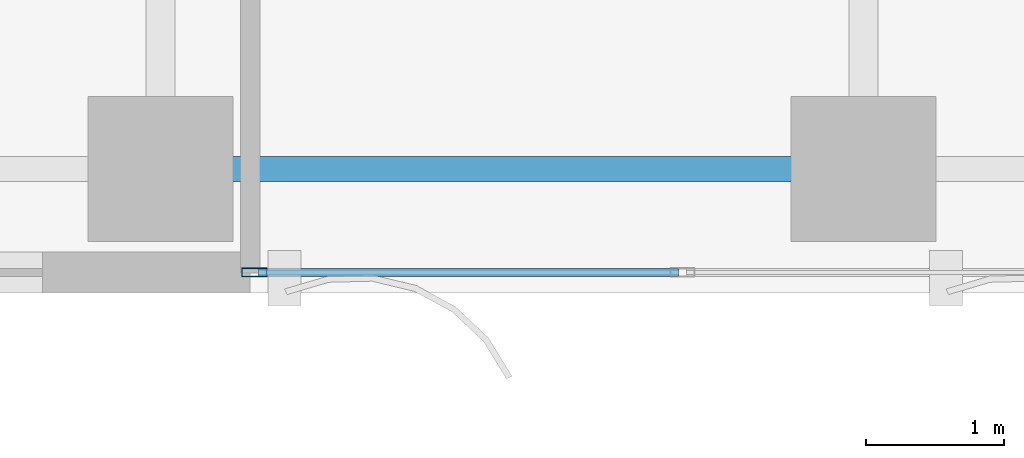
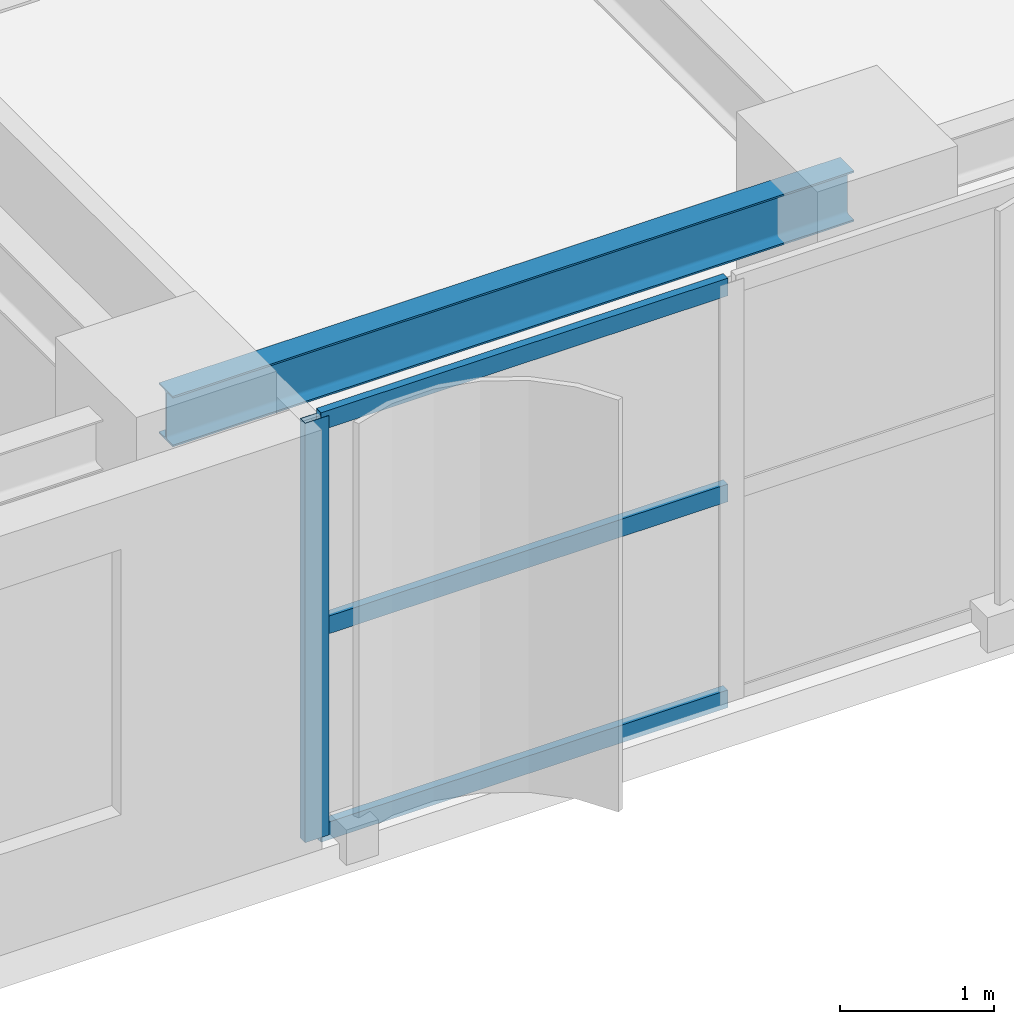
# One storey, part 2 of 22: 4 members, 1 beam, 1 element without a shape of its own.
"""IFC4 building model written with IfcOpenShell, lengths in metres."""

from ifc_helpers import new_model, si_unit, direction, frame, origin, origin_2d, place, context, subcontext, project, spatial, hollow_rectangle, i_section, extrude, source, transform, mapped, material, layer, layer_set, material_profile, profile_set, type_object, element, aggregate, save


model = new_model("IFC4")

# Units and contexts
model_context = context("Model", 3, precision=1e-05, world=origin(), true_north=direction((0.0, 1.0)))
body_context = subcontext(model_context, "Body", "Model", "MODEL_VIEW")
ifc_project = project(units=[si_unit("LENGTHUNIT", "METRE"), si_unit("AREAUNIT", "SQUARE_METRE"), si_unit("VOLUMEUNIT", "CUBIC_METRE"), si_unit("PLANEANGLEUNIT", "RADIAN"), si_unit("MASSUNIT", "GRAM", prefix="KILO")], contexts=[model_context])

# Site, building, storey
site_placement = place(None, origin())
site = spatial("IfcSite", under=ifc_project, at=site_placement, CompositionType="ELEMENT")
building_placement = place(site_placement, origin())
building = spatial("IfcBuilding", under=site, at=building_placement, Name="Khoralis Quay Care Tower", CompositionType="ELEMENT")
storey_placement = place(building_placement, frame((0.0, 0.0, 141.300048828125)))
storey = spatial("IfcBuildingStorey", under=building, at=storey_placement, Name="L37", CompositionType="ELEMENT", Elevation=141.300048828125)

# Beam
ifc_material_1 = material(Name="Steel S355", Category="steel")
ifc_material_profile_1 = material_profile(ifc_material_1, i_section(OverallWidth=0.179931640625, OverallDepth=0.39990234375, WebThickness=0.008544921875, FlangeThickness=0.013427734375, FilletRadius=0.02099609375, at=origin_2d()), Name="Steel S355")
ifc_profile_set_1 = profile_set([ifc_material_profile_1], Name="Steel S355")
beam_type = type_object("IfcBeamType", Name="BM-IPE400", PredefinedType="SPANDREL", material=ifc_profile_set_1)
shared_shape_1 = source(origin(), body_context, "Body", "SweptSolid", [
    extrude(i_section(OverallWidth=0.179931640625, OverallDepth=0.39990234375, WebThickness=0.008544921875, FlangeThickness=0.013427734375, FilletRadius=0.02099609375, at=origin_2d()), origin(), (0.0, 0.0, 1.0), 5.10009765625),
])
beam_placement = place(storey_placement, frame((12.0, 0.89990234375, 3.119873046875), z_axis=(1.0, 0.0, 0.0), x_axis=(0.0, 1.0, 0.0)))
element("IfcBeam", 1, at=beam_placement, inside=storey, type_object=beam_type, Name="BM-TSP-L37-02", PredefinedType="SPANDREL", context=body_context, shape_type="MappedRepresentation", body=[
    mapped(shared_shape_1, transform((0.0, 0.0, 0.0), scale=1.0)),
])

# Curtain wall, members
ifc_material_2 = material(Name="Pale anodised aluminium", Category="aluminium")
ifc_layer = layer(ifc_material_2, 0.169921875)
ifc_layer_set = layer_set([ifc_layer], Name="Pale anodised aluminium")
curtain_wall_type = type_object("IfcCurtainWallType", Name="CW-SYS-Z2", PredefinedType="NOTDEFINED", material=ifc_layer_set)
curtain_wall_placement = place(storey_placement, origin())
curtain_wall = element("IfcCurtainWall", 2, at=curtain_wall_placement, inside=storey, type_object=curtain_wall_type, Name="L37 Unitised Curtain Wall CW-L37-P1-E0", PredefinedType="NOTDEFINED")
ifc_material_profile_2 = material_profile(ifc_material_2, hollow_rectangle(XDim=0.06494140625, YDim=0.179931640625, WallThickness=0.00390625, at=origin_2d()), Name="Pale anodised aluminium")
ifc_profile_set_2 = profile_set([ifc_material_profile_2], Name="Pale anodised aluminium")
member_type_1 = type_object("IfcMemberType", Name="CW-MUL-180", PredefinedType="MULLION", material=ifc_profile_set_2)
shared_shape_2 = source(origin(), body_context, "Body", "SweptSolid", [
    extrude(hollow_rectangle(XDim=0.06494140625, YDim=0.179931640625, WallThickness=0.00390625, at=origin_2d()), origin(), (0.0, 0.0, 1.0), 3.320068359375),
])
member_1_placement = place(storey_placement, frame((12.679931640625, 0.14990234375, 0.0), z_axis=(0.0, 0.0, 1.0), x_axis=(0.0, 1.0, 0.0)))
member_1 = element("IfcMember", 3, at=member_1_placement, type_object=member_type_1, Name="CW2 mullion 1", PredefinedType="MULLION", context=body_context, shape_type="MappedRepresentation", body=[
    mapped(shared_shape_2, transform((0.0, 0.0, 0.0), scale=1.0)),
])
ifc_material_profile_3 = material_profile(ifc_material_2, hollow_rectangle(XDim=0.06005859375, YDim=0.139892578125, WallThickness=0.00390625, at=origin_2d()), Name="Pale anodised aluminium")
ifc_profile_set_3 = profile_set([ifc_material_profile_3], Name="Pale anodised aluminium")
member_type_2 = type_object("IfcMemberType", Name="CW-TRN-140", PredefinedType="USERDEFINED", material=ifc_profile_set_3)
shared_shape_3 = source(origin(), body_context, "Body", "SweptSolid", [
    extrude(hollow_rectangle(XDim=0.06005859375, YDim=0.139892578125, WallThickness=0.00390625, at=origin_2d()), origin(), (0.0, 0.0, 1.0), 3.046630859375),
])
member_2_placement = place(storey_placement, frame((12.7099609375, 0.14990234375, 0.030029296875), z_axis=(1.0, 0.0, 0.0), x_axis=(0.0, 1.0, 0.0)))
member_2 = element("IfcMember", 4, at=member_2_placement, type_object=member_type_2, Name="CW2 transom 1.1", ObjectType="TRANSOM", PredefinedType="USERDEFINED", context=body_context, shape_type="MappedRepresentation", body=[
    mapped(shared_shape_3, transform((0.0, 0.0, 0.0), scale=1.0)),
])
member_3_placement = place(storey_placement, frame((12.7099609375, 0.14990234375, 1.659912109375), z_axis=(1.0, 0.0, 0.0), x_axis=(0.0, 1.0, 0.0)))
member_3 = element("IfcMember", 5, at=member_3_placement, type_object=member_type_2, Name="CW2 transom 1.2", ObjectType="TRANSOM", PredefinedType="USERDEFINED", context=body_context, shape_type="MappedRepresentation", body=[
    mapped(shared_shape_3, transform((0.0, 0.0, 0.0), scale=1.0)),
])
member_4_placement = place(storey_placement, frame((12.7099609375, 0.14990234375, 3.2900390625), z_axis=(1.0, 0.0, 0.0), x_axis=(0.0, 1.0, 0.0)))
member_4 = element("IfcMember", 6, at=member_4_placement, type_object=member_type_2, Name="CW2 transom 1.3", ObjectType="TRANSOM", PredefinedType="USERDEFINED", context=body_context, shape_type="MappedRepresentation", body=[
    mapped(shared_shape_3, transform((0.0, 0.0, 0.0), scale=1.0)),
])
aggregate(curtain_wall, [member_1, member_2, member_3, member_4])

save(model, "model.ifc")
